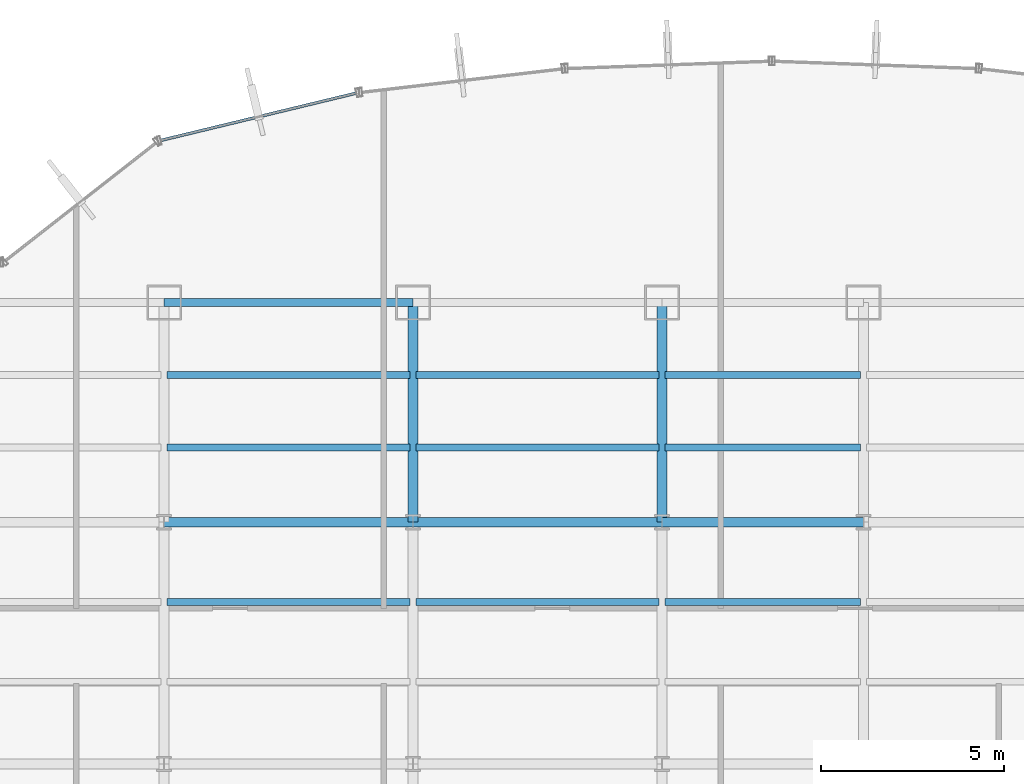
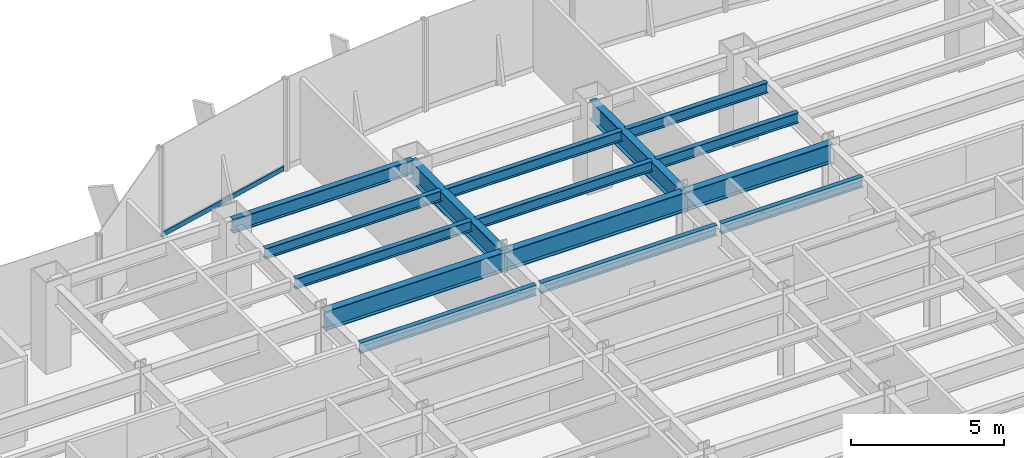
# One storey, part 11 of 22: 15 beams, 1 member, 1 element without a shape of its own.
"""IFC4 building model written with IfcOpenShell, lengths in metres."""

from ifc_helpers import new_model, si_unit, derived_unit, direction, frame, origin, origin_2d, place, context, subcontext, project, spatial, hollow_rectangle, i_section, extrude, source, transform, mapped, material, material_profile, profile_set, type_object, element, aggregate, save


model = new_model("IFC4")

# Units and contexts
model_context = context("Model", 3, precision=1e-05, world=origin(), true_north=direction((0.0, 1.0)))
body_context = subcontext(model_context, "Body", "Model", "MODEL_VIEW")
ifc_project = project(units=[si_unit("LENGTHUNIT", "METRE"), si_unit("AREAUNIT", "SQUARE_METRE"), si_unit("VOLUMEUNIT", "CUBIC_METRE"), si_unit("PLANEANGLEUNIT", "RADIAN"), si_unit("MASSUNIT", "GRAM", prefix="KILO"), derived_unit("THERMALTRANSMITTANCEUNIT", [(si_unit("POWERUNIT", "WATT"), 1), (si_unit("LENGTHUNIT", "METRE"), -2), (si_unit("THERMODYNAMICTEMPERATUREUNIT", "KELVIN"), -1)])], contexts=[model_context])

# Site, building, storey
site_placement = place(None, origin())
site = spatial("IfcSite", under=ifc_project, at=site_placement, CompositionType="ELEMENT")
building_placement = place(site_placement, origin())
building = spatial("IfcBuilding", under=site, at=building_placement, Name="Skarnbrae Concourse Arena and Tower", CompositionType="ELEMENT")
storey_placement = place(building_placement, frame((0.0, 0.0, 65.35009765625)))
storey = spatial("IfcBuildingStorey", under=building, at=storey_placement, Name="L15", CompositionType="ELEMENT", Elevation=65.35009765625)

# Beams
ifc_material_1 = material(Name="Steel CSA G40.21 350W", Category="steel")
ifc_material_profile_1 = material_profile(ifc_material_1, i_section(OverallWidth=0.26806640625, OverallDepth=0.77001953125, WebThickness=0.015625, FlangeThickness=0.025390625, at=origin_2d()), Name="W760X196")
ifc_profile_set_1 = profile_set([ifc_material_profile_1], Name="Steel CSA G40.21 350W")
beam_type_1 = type_object("IfcBeamType", Name="BM-GIRD-W760X196", PredefinedType="BEAM", material=ifc_profile_set_1)
shared_shape_1 = source(origin(), body_context, "Body", "SweptSolid", [
    extrude(i_section(OverallWidth=0.26806640625, OverallDepth=0.77001953125, WebThickness=0.015625, FlangeThickness=0.025390625, at=origin_2d()), origin(), (0.0, 0.0, 1.0), 6.800048828125),
])
for number, where, z_axis, x_axis, name in (
    (1, (14.39990234375, 34.39990234375, 3.014892578125), (1.0, 0.0, 0.0), (0.0, 1.0, 0.0), "L15 Primary E-W girder Y34.4-3"),
    (2, (21.199951171875, 34.39990234375, 3.014892578125), (1.0, 0.0, 0.0), (0.0, 1.0, 0.0), "L15 Primary E-W girder Y34.4-4"),
):
    element("IfcBeam", number, at=place(storey_placement, frame(where, z_axis=z_axis, x_axis=x_axis)), inside=storey, type_object=beam_type_1, Name=name, PredefinedType="BEAM", context=body_context, shape_type="MappedRepresentation", body=[
        mapped(shared_shape_1, transform((0.0, 0.0, 0.0))),
    ])
shared_shape_2 = source(origin(), body_context, "Body", "SweptSolid", [
    extrude(i_section(OverallWidth=0.26806640625, OverallDepth=0.77001953125, WebThickness=0.015625, FlangeThickness=0.025390625, at=origin_2d()), origin(), (0.0, 0.0, 1.0), 5.5),
])
beam_1_placement = place(storey_placement, frame((28.0, 34.39990234375, 3.014892578125), z_axis=(1.0, 0.0, 0.0), x_axis=(0.0, 1.0, 0.0)))
element("IfcBeam", 3, at=beam_1_placement, inside=storey, type_object=beam_type_1, Name="L15 Primary E-W girder Y34.4-5", PredefinedType="BEAM", context=body_context, shape_type="MappedRepresentation", body=[
    mapped(shared_shape_2, transform((0.0, 0.0, 0.0))),
])
shared_shape_3 = source(origin(), body_context, "Body", "SweptSolid", [
    extrude(i_section(OverallWidth=0.26806640625, OverallDepth=0.77001953125, WebThickness=0.015625, FlangeThickness=0.025390625, at=origin_2d()), origin(), (0.0, 0.0, 1.0), 6.0),
])
for number, where, z_axis, x_axis, name in (
    (4, (21.199951171875, 34.39990234375, 3.014892578125), (0.0, 1.0, 0.0), (-1.0, 0.0, 0.0), "L15 Primary N-S girder X21.2-4"),
    (5, (28.0, 34.39990234375, 3.014892578125), (0.0, 1.0, 0.0), (-1.0, 0.0, 0.0), "L15 Primary N-S girder X28.0-4"),
):
    element("IfcBeam", number, at=place(storey_placement, frame(where, z_axis=z_axis, x_axis=x_axis)), inside=storey, type_object=beam_type_1, Name=name, PredefinedType="BEAM", context=body_context, shape_type="MappedRepresentation", body=[
        mapped(shared_shape_3, transform((0.0, 0.0, 0.0))),
    ])
ifc_material_profile_2 = material_profile(ifc_material_1, i_section(OverallWidth=0.214111328125, OverallDepth=0.549072265625, WebThickness=0.0146484375, FlangeThickness=0.023681640625, at=origin_2d()), Name="W530X138")
ifc_profile_set_2 = profile_set([ifc_material_profile_2], Name="Steel CSA G40.21 350W")
beam_type_2 = type_object("IfcBeamType", Name="BM-SPAN-W530X138", PredefinedType="SPANDREL", material=ifc_profile_set_2)
shared_shape_4 = source(origin(), body_context, "Body", "SweptSolid", [
    extrude(i_section(OverallWidth=0.214111328125, OverallDepth=0.549072265625, WebThickness=0.0146484375, FlangeThickness=0.023681640625, at=origin_2d()), origin(), (0.0, 0.0, 1.0), 6.800048828125),
])
beam_2_placement = place(storey_placement, frame((14.39990234375, 40.39990234375, 3.12548828125), z_axis=(1.0, 0.0, 0.0), x_axis=(0.0, 1.0, 0.0)))
element("IfcBeam", 6, at=beam_2_placement, inside=storey, type_object=beam_type_2, Name="L15 Perimeter spandrel Y40.4-2", PredefinedType="SPANDREL", context=body_context, shape_type="MappedRepresentation", body=[
    mapped(shared_shape_4, transform((0.0, 0.0, 0.0))),
])
ifc_material_profile_3 = material_profile(ifc_material_1, i_section(OverallWidth=0.180908203125, OverallDepth=0.4169921875, WebThickness=0.010986328125, FlangeThickness=0.018310546875, at=origin_2d()), Name="W410X85")
ifc_profile_set_3 = profile_set([ifc_material_profile_3], Name="Steel CSA G40.21 350W")
beam_type_3 = type_object("IfcBeamType", Name="BM-JOIST-W410X85", PredefinedType="JOIST", material=ifc_profile_set_3)
shared_shape_5 = source(origin(), body_context, "Body", "SweptSolid", [
    extrude(i_section(OverallWidth=0.180908203125, OverallDepth=0.4169921875, WebThickness=0.010986328125, FlangeThickness=0.018310546875, at=origin_2d()), origin(), (0.0, 0.0, 1.0), 6.64013671875),
])
for number, where, z_axis, x_axis, name in (
    (7, (14.47998046875, 32.221923828125, 3.19140625), (1.0, 0.0, 0.0), (0.0, 1.0, 0.0), "L15 Secondary floor joist 3.2.3"),
    (8, (14.47998046875, 36.43994140625, 3.19140625), (1.0, 0.0, 0.0), (0.0, 1.0, 0.0), "L15 Secondary floor joist 4.1.2"),
    (9, (14.47998046875, 38.419921875, 3.19140625), (1.0, 0.0, 0.0), (0.0, 1.0, 0.0), "L15 Secondary floor joist 4.2.2"),
):
    element("IfcBeam", number, at=place(storey_placement, frame(where, z_axis=z_axis, x_axis=x_axis)), inside=storey, type_object=beam_type_3, Name=name, PredefinedType="JOIST", context=body_context, shape_type="MappedRepresentation", body=[
        mapped(shared_shape_5, transform((0.0, 0.0, 0.0))),
    ])
shared_shape_6 = source(origin(), body_context, "Body", "SweptSolid", [
    extrude(i_section(OverallWidth=0.180908203125, OverallDepth=0.4169921875, WebThickness=0.010986328125, FlangeThickness=0.018310546875, at=origin_2d()), origin(), (0.0, 0.0, 1.0), 6.639892578125),
])
for number, where, z_axis, x_axis, name in (
    (10, (21.280029296875, 32.221923828125, 3.19140625), (1.0, 0.0, 0.0), (0.0, 1.0, 0.0), "L15 Secondary floor joist 3.2.4"),
    (11, (21.280029296875, 36.43994140625, 3.19140625), (1.0, 0.0, 0.0), (0.0, 1.0, 0.0), "L15 Secondary floor joist 4.1.3"),
    (12, (21.280029296875, 38.419921875, 3.19140625), (1.0, 0.0, 0.0), (0.0, 1.0, 0.0), "L15 Secondary floor joist 4.2.3"),
):
    element("IfcBeam", number, at=place(storey_placement, frame(where, z_axis=z_axis, x_axis=x_axis)), inside=storey, type_object=beam_type_3, Name=name, PredefinedType="JOIST", context=body_context, shape_type="MappedRepresentation", body=[
        mapped(shared_shape_6, transform((0.0, 0.0, 0.0))),
    ])
shared_shape_7 = source(origin(), body_context, "Body", "SweptSolid", [
    extrude(i_section(OverallWidth=0.180908203125, OverallDepth=0.4169921875, WebThickness=0.010986328125, FlangeThickness=0.018310546875, at=origin_2d()), origin(), (0.0, 0.0, 1.0), 5.33984375),
])
for number, where, z_axis, x_axis, name in (
    (13, (28.080078125, 32.221923828125, 3.19140625), (1.0, 0.0, 0.0), (0.0, 1.0, 0.0), "L15 Secondary floor joist 3.2.5"),
    (14, (28.080078125, 36.43994140625, 3.19140625), (1.0, 0.0, 0.0), (0.0, 1.0, 0.0), "L15 Secondary floor joist 4.1.4"),
    (15, (28.080078125, 38.419921875, 3.19140625), (1.0, 0.0, 0.0), (0.0, 1.0, 0.0), "L15 Secondary floor joist 4.2.4"),
):
    element("IfcBeam", number, at=place(storey_placement, frame(where, z_axis=z_axis, x_axis=x_axis)), inside=storey, type_object=beam_type_3, Name=name, PredefinedType="JOIST", context=body_context, shape_type="MappedRepresentation", body=[
        mapped(shared_shape_7, transform((0.0, 0.0, 0.0))),
    ])

# Curtain wall, member
ifc_material_2 = material(Name="Bronze anodised aluminium 6063-T6", Category="aluminium")
curtain_wall_type = type_object("IfcCurtainWallType", Name="CW-SYS-02-LOWZONE", PredefinedType="USERDEFINED", material=ifc_material_2)
curtain_wall_placement = place(storey_placement, origin())
curtain_wall = element("IfcCurtainWall", 16, at=curtain_wall_placement, inside=storey, type_object=curtain_wall_type, Name="L15 Unitised curtain wall CW-L15-E14", ObjectType="UNITISED CURTAIN WALL", PredefinedType="USERDEFINED")
ifc_material_profile_4 = material_profile(ifc_material_2, hollow_rectangle(XDim=0.080078125, YDim=0.18994140625, WallThickness=0.0048828125, at=origin_2d()), Name="ALU-TRAN-80X190")
ifc_profile_set_4 = profile_set([ifc_material_profile_4], Name="Bronze anodised aluminium 6063-T6")
member_type = type_object("IfcMemberType", Name="CWT-CW-02", PredefinedType="USERDEFINED", material=ifc_profile_set_4)
shared_shape_8 = source(origin(), body_context, "Body", "SweptSolid", [
    extrude(hollow_rectangle(XDim=0.080078125, YDim=0.18994140625, WallThickness=0.0048828125, at=origin_2d()), origin(), (0.0, 0.0, 1.0), 5.4921875),
])
member_placement = place(storey_placement, frame((19.64990234375, 46.12158203125, 0.094970703125), z_axis=(-0.971980728004, -0.235060554728, 0.0), x_axis=(0.235060554728, -0.971980728004, 0.0)))
member = element("IfcMember", 17, at=member_placement, type_object=member_type, Name="CW-L15-E14 Transom 1", ObjectType="TRANSOM", PredefinedType="USERDEFINED", context=body_context, shape_type="MappedRepresentation", body=[
    mapped(shared_shape_8, transform((0.0, 0.0, 0.0))),
])
aggregate(curtain_wall, [member])

save(model, "model.ifc")
